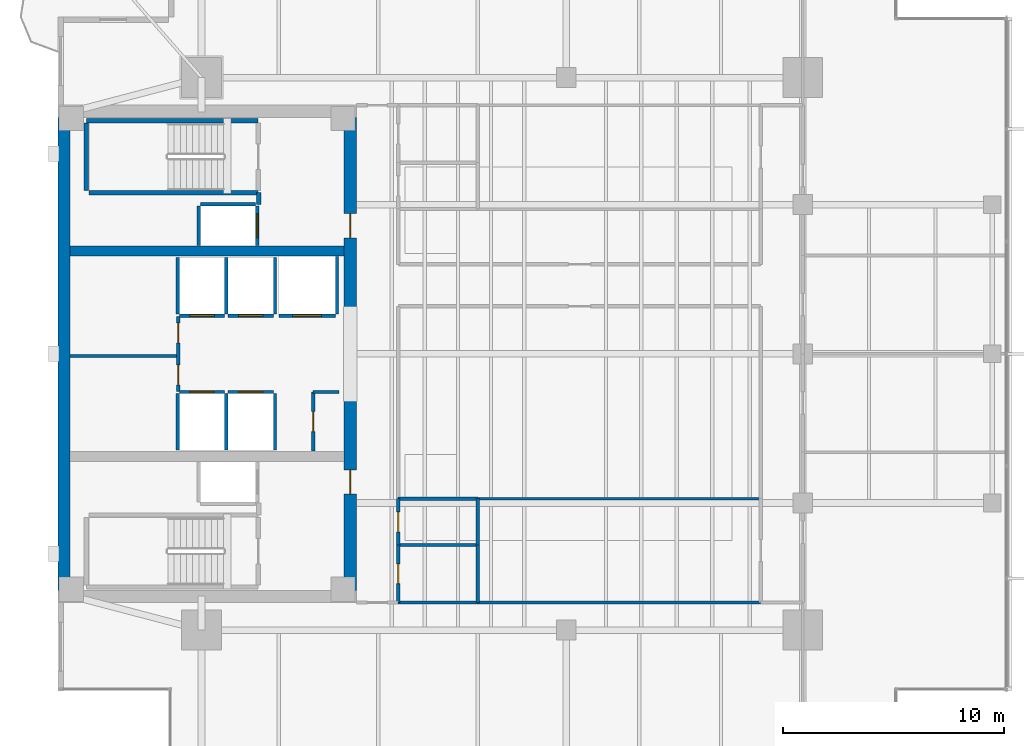
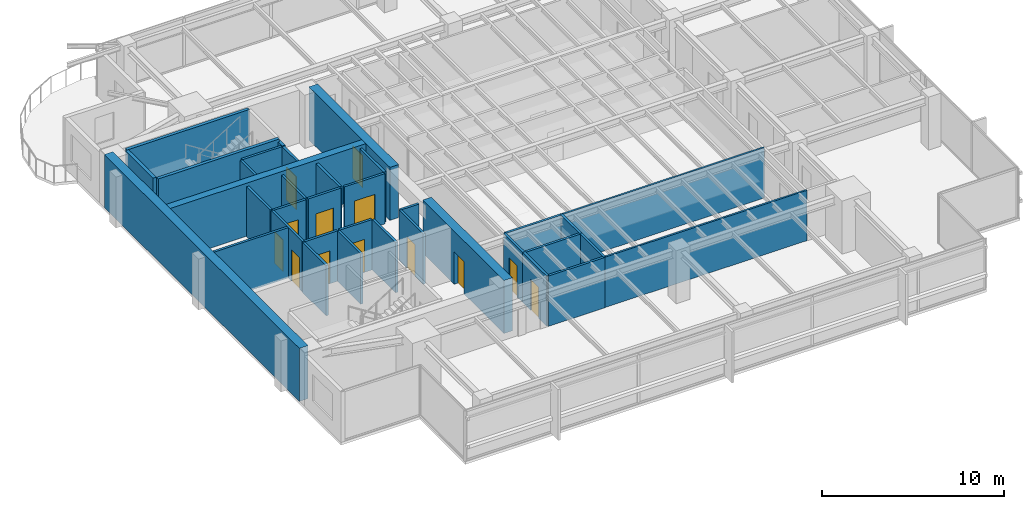
# One storey, part 8 of 14: 36 walls, 13 doors, 13 openings.
"""IFC4 building model written with IfcOpenShell, lengths in metres."""

from ifc_helpers import new_model, si_unit, direction, frame, frame_2d, origin, place, context, subcontext, project, spatial, rectangle, extrude, material, layer, layer_set, type_object, element, fill, save


model = new_model("IFC4")

# Units and contexts
model_context = context("Model", 3, precision=1e-05, world=origin(), true_north=direction((0.0, 1.0)))
body_context = subcontext(model_context, "Body", "Model", "MODEL_VIEW")
ifc_project = project(units=[si_unit("LENGTHUNIT", "METRE"), si_unit("AREAUNIT", "SQUARE_METRE"), si_unit("VOLUMEUNIT", "CUBIC_METRE"), si_unit("PLANEANGLEUNIT", "RADIAN"), si_unit("MASSUNIT", "GRAM", prefix="KILO")], contexts=[model_context])

# Site, building, storey
site_placement = place(None, origin())
site = spatial("IfcSite", under=ifc_project, at=site_placement, CompositionType="ELEMENT")
building_placement = place(site_placement, origin())
building = spatial("IfcBuilding", under=site, at=building_placement, Name="Kinhvarn Gate Tower", CompositionType="ELEMENT")
storey_placement = place(building_placement, frame((0.0, 0.0, 209.35009765625)))
storey = spatial("IfcBuildingStorey", under=building, at=storey_placement, Name="L55", CompositionType="ELEMENT", Elevation=209.35009765625)

# Wall
ifc_material_1 = material(Name="Concrete C50/60", Category="concrete")
ifc_layer_1 = layer(ifc_material_1, 0.449951171875)
ifc_layer_set_1 = layer_set([ifc_layer_1], Name="Concrete C50/60")
wall_type_1 = type_object("IfcWallType", Name="WL-CORE-450", PredefinedType="SHEAR", material=ifc_layer_set_1)
wall_1_placement = place(storey_placement, frame((5.050048828125, 29.89990234375, 0.0), z_axis=(0.0, 0.0, 1.0), x_axis=(1.0, 0.0, 0.0)))
element("IfcWall", 1, at=wall_1_placement, inside=storey, type_object=wall_type_1, Name="Core North Spine Shear Wall L55 450 mm", PredefinedType="SHEAR", context=body_context, shape_type="SweptSolid", body=[
    extrude(rectangle(XDim=12.39990234375, YDim=0.449951171875, at=frame_2d((6.199951171875, 0.0))), origin(), (0.0, 0.0, 1.0), 3.5498046875),
])

# Wall, opening, door
ifc_material_2 = material(Name="Concrete C60/75", Category="concrete")
ifc_layer_2 = layer(ifc_material_2, 0.550048828125)
ifc_layer_set_2 = layer_set([ifc_layer_2], Name="Concrete C60/75")
wall_type_2 = type_object("IfcWallType", Name="WL-CORE-550", PredefinedType="SHEAR", material=ifc_layer_set_2)
wall_2_placement = place(storey_placement, frame((17.72509765625, 14.550048828125, 0.0), z_axis=(0.0, 0.0, 1.0), x_axis=(0.0, 1.0, 0.0)))
wall_2 = element("IfcWall", 2, at=wall_2_placement, inside=storey, type_object=wall_type_2, Name="Core East-South Shear Pier L55 550 mm", PredefinedType="SHEAR", context=body_context, shape_type="SweptSolid", body=[
    extrude(rectangle(XDim=8.89990234375, YDim=0.550048828125, at=frame_2d((4.449951171875, 0.0))), origin(), (0.0, 0.0, 1.0), 3.5498046875),
])
opening_1_placement = place(wall_2_placement, frame((4.35009765625, 0.0, 0.0)))
opening_1 = element("IfcOpeningElement", 3, at=opening_1_placement, cuts=wall_2, Name="Opening FD-02", PredefinedType="OPENING", context=body_context, shape_type="SweptSolid", body=[
    extrude(rectangle(XDim=1.10009765625, YDim=2.14990234375, at=frame_2d((0.550048828125, 1.074951171875))), frame((0.0, 0.28515625, 0.0), z_axis=(0.0, -1.0, 0.0), x_axis=(1.0, 0.0, 0.0)), (0.0, 0.0, 1.0), 0.570068359375),
])
ifc_material_3 = material(Name="Anodised aluminium AW-6063", Category="aluminium")
door_type_1 = type_object("IfcDoorType", Name="DR-FD-1100", OperationType="NOTDEFINED", PredefinedType="DOOR", material=ifc_material_3)
door_1_placement = place(opening_1_placement, origin())
door_1 = element("IfcDoor", 4, at=door_1_placement, inside=storey, type_object=door_type_1, Name="Firefighting Lobby Core Door (L55)", OperationType="SINGLE_SWING_RIGHT", OverallHeight=2.14990234375, OverallWidth=1.10009765625, PredefinedType="DOOR", context=body_context, shape_type="SweptSolid", body=[
    extrude(rectangle(XDim=1.10009765625, YDim=2.14990234375, at=frame_2d((0.550048828125, 1.074951171875))), frame((0.0, 0.02490234375, 0.0), z_axis=(0.0, -1.0, 0.0), x_axis=(1.0, 0.0, 0.0)), (0.0, 0.0, 1.0), 0.050048828125),
])
fill(opening_1, door_1)

wall_3_placement = place(storey_placement, frame((17.72509765625, 27.050048828125, 0.0), z_axis=(0.0, 0.0, 1.0), x_axis=(0.0, 1.0, 0.0)))
wall_3 = element("IfcWall", 5, at=wall_3_placement, inside=storey, type_object=wall_type_2, Name="Core East-North Shear Pier L55 550 mm", PredefinedType="SHEAR", context=body_context, shape_type="SweptSolid", body=[
    extrude(rectangle(XDim=8.89990234375, YDim=0.550048828125, at=frame_2d((4.449951171875, 0.0))), origin(), (0.0, 0.0, 1.0), 3.5498046875),
])
opening_2_placement = place(wall_3_placement, frame((3.449951171875, 0.0, 0.0)))
opening_2 = element("IfcOpeningElement", 6, at=opening_2_placement, cuts=wall_3, Name="Opening FD-02", PredefinedType="OPENING", context=body_context, shape_type="SweptSolid", body=[
    extrude(rectangle(XDim=1.10009765625, YDim=2.14990234375, at=frame_2d((0.550048828125, 1.074951171875))), frame((0.0, 0.28515625, 0.0), z_axis=(0.0, -1.0, 0.0), x_axis=(1.0, 0.0, 0.0)), (0.0, 0.0, 1.0), 0.570068359375),
])
door_2_placement = place(opening_2_placement, origin())
door_2 = element("IfcDoor", 7, at=door_2_placement, inside=storey, type_object=door_type_1, Name="Firefighting Lobby Core Door (L55)", OperationType="SINGLE_SWING_LEFT", OverallHeight=2.14990234375, OverallWidth=1.10009765625, PredefinedType="DOOR", context=body_context, shape_type="SweptSolid", body=[
    extrude(rectangle(XDim=1.10009765625, YDim=2.14990234375, at=frame_2d((0.550048828125, 1.074951171875))), frame((0.0, 0.02490234375, 0.0), z_axis=(0.0, -1.0, 0.0), x_axis=(1.0, 0.0, 0.0)), (0.0, 0.0, 1.0), 0.050048828125),
])
fill(opening_2, door_2)

# Walls
ifc_layer_3 = layer(ifc_material_2, 0.550048828125)
ifc_layer_set_3 = layer_set([ifc_layer_3], Name="Concrete C60/75")
wall_type_3 = type_object("IfcWallType", Name="WL-COREX-550", PredefinedType="SHEAR", material=ifc_layer_set_3)
wall_4_placement = place(storey_placement, frame((4.77490234375, 14.550048828125, 0.0), z_axis=(0.0, 0.0, 1.0), x_axis=(0.0, 1.0, 0.0)))
element("IfcWall", 8, at=wall_4_placement, inside=storey, type_object=wall_type_3, Name="Core West Shear Wall L55 550 mm", PredefinedType="SHEAR", context=body_context, shape_type="SweptSolid", body=[
    extrude(rectangle(XDim=21.39990234375, YDim=0.550048828125, at=frame_2d((10.699951171875, 0.0))), origin(), (0.0, 0.0, 1.0), 3.5498046875),
])
ifc_material_4 = material(Name="Gypsum acoustic partition board")
ifc_layer_4 = layer(ifc_material_4, 0.14990234375)
ifc_layer_set_4 = layer_set([ifc_layer_4], Name="Gypsum acoustic partition board")
wall_type_4 = type_object("IfcWallType", Name="WL-PLM-150", PredefinedType="PLUMBINGWALL", material=ifc_layer_set_4)
wall_5_placement = place(storey_placement, frame((19.89990234375, 16.60009765625, 0.0), z_axis=(0.0, 0.0, 1.0), x_axis=(1.0, 0.0, 0.0)))
element("IfcWall", 9, at=wall_5_placement, inside=storey, type_object=wall_type_4, Name="Interior Partition PLW-150 (L55)", PredefinedType="PLUMBINGWALL", context=body_context, shape_type="SweptSolid", body=[
    extrude(rectangle(XDim=3.60009765625, YDim=0.14990234375, at=frame_2d((1.800048828125, 0.0))), origin(), (0.0, 0.0, 1.0), 3.369873046875),
])
wall_6_placement = place(storey_placement, frame((23.5, 14.0, 0.0), z_axis=(0.0, 0.0, 1.0), x_axis=(0.0, 1.0, 0.0)))
element("IfcWall", 10, at=wall_6_placement, inside=storey, type_object=wall_type_4, Name="Interior Partition PLW-150 (L55)", PredefinedType="PLUMBINGWALL", context=body_context, shape_type="SweptSolid", body=[
    extrude(rectangle(XDim=2.60009765625, YDim=0.14990234375, at=frame_2d((1.300048828125, 0.0))), origin(), (0.0, 0.0, 1.0), 3.369873046875),
])
wall_7_placement = place(storey_placement, frame((19.89990234375, 14.0, 0.0), z_axis=(0.0, 0.0, 1.0), x_axis=(1.0, 0.0, 0.0)))
element("IfcWall", 11, at=wall_7_placement, inside=storey, type_object=wall_type_4, Name="Interior Partition PLW-150 (L55)", PredefinedType="PLUMBINGWALL", context=body_context, shape_type="SweptSolid", body=[
    extrude(rectangle(XDim=3.60009765625, YDim=0.14990234375, at=frame_2d((1.800048828125, 0.0))), origin(), (0.0, 0.0, 1.0), 3.369873046875),
])
wall_8_placement = place(storey_placement, frame((23.5, 16.60009765625, 0.0), z_axis=(0.0, 0.0, 1.0), x_axis=(0.0, 1.0, 0.0)))
element("IfcWall", 12, at=wall_8_placement, inside=storey, type_object=wall_type_4, Name="Interior Partition PLW-150 (L55)", PredefinedType="PLUMBINGWALL", context=body_context, shape_type="SweptSolid", body=[
    extrude(rectangle(XDim=2.099853515625, YDim=0.14990234375, at=frame_2d((1.0498046875, 0.0))), origin(), (0.0, 0.0, 1.0), 3.369873046875),
])
wall_9_placement = place(storey_placement, frame((19.89990234375, 18.699951171875, 0.0), z_axis=(0.0, 0.0, 1.0), x_axis=(1.0, 0.0, 0.0)))
element("IfcWall", 13, at=wall_9_placement, inside=storey, type_object=wall_type_4, Name="Interior Partition PLW-150 (L55)", PredefinedType="PLUMBINGWALL", context=body_context, shape_type="SweptSolid", body=[
    extrude(rectangle(XDim=3.60009765625, YDim=0.14990234375, at=frame_2d((1.800048828125, 0.0))), origin(), (0.0, 0.0, 1.0), 3.369873046875),
])

# Wall, opening, door
ifc_layer_5 = layer(ifc_material_4, 0.14990234375)
ifc_layer_set_5 = layer_set([ifc_layer_5], Name="Gypsum acoustic partition board")
wall_type_5 = type_object("IfcWallType", Name="WL-PLM-150F", PredefinedType="PLUMBINGWALL", material=ifc_layer_set_5)
wall_10_placement = place(storey_placement, frame((19.89990234375, 14.0, 0.0), z_axis=(0.0, 0.0, 1.0), x_axis=(0.0, 1.0, 0.0)))
wall_10 = element("IfcWall", 14, at=wall_10_placement, inside=storey, type_object=wall_type_5, Name="Interior Partition PLW-150F (L55)", PredefinedType="PLUMBINGWALL", context=body_context, shape_type="SweptSolid", body=[
    extrude(rectangle(XDim=2.60009765625, YDim=0.14990234375, at=frame_2d((1.300048828125, 0.0))), origin(), (0.0, 0.0, 1.0), 3.369873046875),
])
opening_3_placement = place(wall_10_placement, frame((0.85009765625, 0.0, 0.0)))
opening_3 = element("IfcOpeningElement", 15, at=opening_3_placement, cuts=wall_10, Name="Opening FD-04", PredefinedType="OPENING", context=body_context, shape_type="SweptSolid", body=[
    extrude(rectangle(XDim=0.89990234375, YDim=2.10009765625, at=frame_2d((0.449951171875, 1.050048828125))), frame((0.0, 0.0849609375, 0.0), z_axis=(0.0, -1.0, 0.0), x_axis=(1.0, 0.0, 0.0)), (0.0, 0.0, 1.0), 0.169921875),
])
door_type_2 = type_object("IfcDoorType", Name="DR-FD-900", OperationType="NOTDEFINED", PredefinedType="DOOR", material=ifc_material_3)
door_3_placement = place(opening_3_placement, origin())
door_3 = element("IfcDoor", 16, at=door_3_placement, inside=storey, type_object=door_type_2, Name="Rated Riser & Service Closet Fire Door 900x2100 mm (L55)", OperationType="SINGLE_SWING_RIGHT", OverallHeight=2.10009765625, OverallWidth=0.89990234375, PredefinedType="DOOR", context=body_context, shape_type="SweptSolid", body=[
    extrude(rectangle(XDim=0.89990234375, YDim=2.10009765625, at=frame_2d((0.449951171875, 1.050048828125))), frame((0.0, 0.02490234375, 0.0), z_axis=(0.0, -1.0, 0.0), x_axis=(1.0, 0.0, 0.0)), (0.0, 0.0, 1.0), 0.050048828125),
])
fill(opening_3, door_3)

wall_11_placement = place(storey_placement, frame((19.89990234375, 16.60009765625, 0.0), z_axis=(0.0, 0.0, 1.0), x_axis=(0.0, 1.0, 0.0)))
wall_11 = element("IfcWall", 17, at=wall_11_placement, inside=storey, type_object=wall_type_5, Name="Interior Partition PLW-150F (L55)", PredefinedType="PLUMBINGWALL", context=body_context, shape_type="SweptSolid", body=[
    extrude(rectangle(XDim=2.099853515625, YDim=0.14990234375, at=frame_2d((1.0498046875, 0.0))), origin(), (0.0, 0.0, 1.0), 3.369873046875),
])
opening_4_placement = place(wall_11_placement, frame((0.60009765625, 0.0, 0.0)))
opening_4 = element("IfcOpeningElement", 18, at=opening_4_placement, cuts=wall_11, Name="Opening FD-04", PredefinedType="OPENING", context=body_context, shape_type="SweptSolid", body=[
    extrude(rectangle(XDim=0.89990234375, YDim=2.10009765625, at=frame_2d((0.449951171875, 1.050048828125))), frame((0.0, 0.0849609375, 0.0), z_axis=(0.0, -1.0, 0.0), x_axis=(1.0, 0.0, 0.0)), (0.0, 0.0, 1.0), 0.169921875),
])
door_4_placement = place(opening_4_placement, origin())
door_4 = element("IfcDoor", 19, at=door_4_placement, inside=storey, type_object=door_type_2, Name="Rated Riser & Service Closet Fire Door 900x2100 mm (L55)", OperationType="SINGLE_SWING_RIGHT", OverallHeight=2.10009765625, OverallWidth=0.89990234375, PredefinedType="DOOR", context=body_context, shape_type="SweptSolid", body=[
    extrude(rectangle(XDim=0.89990234375, YDim=2.10009765625, at=frame_2d((0.449951171875, 1.050048828125))), frame((0.0, 0.02490234375, 0.0), z_axis=(0.0, -1.0, 0.0), x_axis=(1.0, 0.0, 0.0)), (0.0, 0.0, 1.0), 0.050048828125),
])
fill(opening_4, door_4)

# Walls
ifc_layer_6 = layer(ifc_material_4, 0.1201171875)
ifc_layer_set_6 = layer_set([ifc_layer_6], Name="Gypsum acoustic partition board")
wall_type_6 = type_object("IfcWallType", Name="WL-PRT-120", PredefinedType="PARTITIONING", material=ifc_layer_set_6)
for number, where, z_axis, x_axis, name in (
    (20, (23.5, 18.699951171875, 0.0), (0.0, 0.0, 1.0), (1.0, 0.0, 0.0), "Interior Partition PW-120 (L55)"),
    (21, (23.5, 14.0, 0.0), (0.0, 0.0, 1.0), (1.0, 0.0, 0.0), "Interior Partition PW-120 (L55)"),
):
    element("IfcWall", number, at=place(storey_placement, frame(where, z_axis=z_axis, x_axis=x_axis)), inside=storey, type_object=wall_type_6, Name=name, PredefinedType="PARTITIONING", context=body_context, shape_type="SweptSolid", body=[
        extrude(rectangle(XDim=12.800048828125, YDim=0.1201171875, at=frame_2d((6.39990234375, 0.0))), origin(), (0.0, 0.0, 1.0), 3.369873046875),
    ])
ifc_layer_7 = layer(ifc_material_4, 0.14990234375)
ifc_layer_set_7 = layer_set([ifc_layer_7], Name="Gypsum acoustic partition board")
wall_type_7 = type_object("IfcWallType", Name="WL-PRT-150F", PredefinedType="PARTITIONING", material=ifc_layer_set_7)
wall_12_placement = place(storey_placement, frame((5.050048828125, 25.14990234375, 0.0), z_axis=(0.0, 0.0, 1.0), x_axis=(1.0, 0.0, 0.0)))
element("IfcWall", 22, at=wall_12_placement, inside=storey, type_object=wall_type_7, Name="Interior Partition PW-150F (L55)", PredefinedType="PARTITIONING", context=body_context, shape_type="SweptSolid", body=[
    extrude(rectangle(XDim=4.89990234375, YDim=0.14990234375, at=frame_2d((2.449951171875, 0.0))), origin(), (0.0, 0.0, 1.0), 3.369873046875),
])

# Wall, openings, doors
wall_13_placement = place(storey_placement, frame((9.949951171875, 23.550048828125, 0.0), z_axis=(0.0, 0.0, 1.0), x_axis=(0.0, 1.0, 0.0)))
wall_13 = element("IfcWall", 23, at=wall_13_placement, inside=storey, type_object=wall_type_7, Name="Interior Partition PW-150F (L55)", PredefinedType="PARTITIONING", context=body_context, shape_type="SweptSolid", body=[
    extrude(rectangle(XDim=3.39990234375, YDim=0.14990234375, at=frame_2d((1.699951171875, 0.0))), origin(), (0.0, 0.0, 1.0), 3.369873046875),
])
opening_5_placement = place(wall_13_placement, frame((0.298095703125, 0.0, 0.0)))
opening_5 = element("IfcOpeningElement", 24, at=opening_5_placement, cuts=wall_13, Name="Opening FD-04", PredefinedType="OPENING", context=body_context, shape_type="SweptSolid", body=[
    extrude(rectangle(XDim=0.89990234375, YDim=2.10009765625, at=frame_2d((0.449951171875, 1.050048828125))), frame((0.0, 0.0849609375, 0.0), z_axis=(0.0, -1.0, 0.0), x_axis=(1.0, 0.0, 0.0)), (0.0, 0.0, 1.0), 0.169921875),
])
opening_6_placement = place(wall_13_placement, frame((2.201904296875, 0.0, 0.0)))
opening_6 = element("IfcOpeningElement", 25, at=opening_6_placement, cuts=wall_13, Name="Opening FD-04", PredefinedType="OPENING", context=body_context, shape_type="SweptSolid", body=[
    extrude(rectangle(XDim=0.89990234375, YDim=2.10009765625, at=frame_2d((0.449951171875, 1.050048828125))), frame((0.0, 0.0849609375, 0.0), z_axis=(0.0, -1.0, 0.0), x_axis=(1.0, 0.0, 0.0)), (0.0, 0.0, 1.0), 0.169921875),
])
door_5_placement = place(opening_5_placement, origin())
door_5 = element("IfcDoor", 26, at=door_5_placement, inside=storey, type_object=door_type_2, Name="Rated Riser & Service Closet Fire Door 900x2100 mm (L55)", OperationType="SINGLE_SWING_LEFT", OverallHeight=2.10009765625, OverallWidth=0.89990234375, PredefinedType="DOOR", context=body_context, shape_type="SweptSolid", body=[
    extrude(rectangle(XDim=0.89990234375, YDim=2.10009765625, at=frame_2d((0.449951171875, 1.050048828125))), frame((0.0, 0.02490234375, 0.0), z_axis=(0.0, -1.0, 0.0), x_axis=(1.0, 0.0, 0.0)), (0.0, 0.0, 1.0), 0.050048828125),
])
fill(opening_5, door_5)
door_6_placement = place(opening_6_placement, origin())
door_6 = element("IfcDoor", 27, at=door_6_placement, inside=storey, type_object=door_type_2, Name="Rated Riser & Service Closet Fire Door 900x2100 mm (L55)", OperationType="SINGLE_SWING_RIGHT", OverallHeight=2.10009765625, OverallWidth=0.89990234375, PredefinedType="DOOR", context=body_context, shape_type="SweptSolid", body=[
    extrude(rectangle(XDim=0.89990234375, YDim=2.10009765625, at=frame_2d((0.449951171875, 1.050048828125))), frame((0.0, 0.02490234375, 0.0), z_axis=(0.0, -1.0, 0.0), x_axis=(1.0, 0.0, 0.0)), (0.0, 0.0, 1.0), 0.050048828125),
])
fill(opening_6, door_6)

# Wall, opening, door
wall_14_placement = place(storey_placement, frame((16.050048828125, 20.85009765625, 0.0), z_axis=(0.0, 0.0, 1.0), x_axis=(0.0, 1.0, 0.0)))
wall_14 = element("IfcWall", 28, at=wall_14_placement, inside=storey, type_object=wall_type_7, Name="Interior Partition PW-150F (L55)", PredefinedType="PARTITIONING", context=body_context, shape_type="SweptSolid", body=[
    extrude(rectangle(XDim=2.669921875, YDim=0.14990234375, at=frame_2d((1.3349609375, 0.0))), origin(), (0.0, 0.0, 1.0), 3.369873046875),
])
opening_7_placement = place(wall_14_placement, frame((0.885009765625, 0.0, 0.0)))
opening_7 = element("IfcOpeningElement", 29, at=opening_7_placement, cuts=wall_14, Name="Opening FD-04", PredefinedType="OPENING", context=body_context, shape_type="SweptSolid", body=[
    extrude(rectangle(XDim=0.89990234375, YDim=2.10009765625, at=frame_2d((0.449951171875, 1.050048828125))), frame((0.0, 0.0849609375, 0.0), z_axis=(0.0, -1.0, 0.0), x_axis=(1.0, 0.0, 0.0)), (0.0, 0.0, 1.0), 0.169921875),
])
door_7_placement = place(opening_7_placement, origin())
door_7 = element("IfcDoor", 30, at=door_7_placement, inside=storey, type_object=door_type_2, Name="Rated Riser & Service Closet Fire Door 900x2100 mm (L55)", OperationType="SINGLE_SWING_LEFT", OverallHeight=2.10009765625, OverallWidth=0.89990234375, PredefinedType="DOOR", context=body_context, shape_type="SweptSolid", body=[
    extrude(rectangle(XDim=0.89990234375, YDim=2.10009765625, at=frame_2d((0.449951171875, 1.050048828125))), frame((0.0, 0.02490234375, 0.0), z_axis=(0.0, -1.0, 0.0), x_axis=(1.0, 0.0, 0.0)), (0.0, 0.0, 1.0), 0.050048828125),
])
fill(opening_7, door_7)

# Walls
wall_15_placement = place(storey_placement, frame((16.050048828125, 23.52001953125, 0.0), z_axis=(0.0, 0.0, 1.0), x_axis=(1.0, 0.0, 0.0)))
element("IfcWall", 31, at=wall_15_placement, inside=storey, type_object=wall_type_7, Name="Interior Partition PW-150F (L55)", PredefinedType="PARTITIONING", context=body_context, shape_type="SweptSolid", body=[
    extrude(rectangle(XDim=1.169921875, YDim=0.14990234375, at=frame_2d((0.5849609375, 0.0))), origin(), (0.0, 0.0, 1.0), 3.369873046875),
])
ifc_layer_8 = layer(ifc_material_4, 0.199951171875)
ifc_layer_set_8 = layer_set([ifc_layer_8], Name="Gypsum acoustic partition board")
wall_type_8 = type_object("IfcWallType", Name="WL-PRT-200", PredefinedType="PARTITIONING", material=ifc_layer_set_8)
wall_16_placement = place(storey_placement, frame((13.580078125, 32.0, 0.0), z_axis=(0.0, 0.0, 1.0), x_axis=(0.0, 1.0, 0.0)))
element("IfcWall", 32, at=wall_16_placement, inside=storey, type_object=wall_type_8, Name="Interior Partition PW-200 (L55)", PredefinedType="PARTITIONING", context=body_context, shape_type="SweptSolid", body=[
    extrude(rectangle(XDim=0.5400390625, YDim=0.199951171875, at=frame_2d((0.27001953125, 0.0))), origin(), (0.0, 0.0, 1.0), 3.369873046875),
])

# Wall, opening, door
ifc_layer_9 = layer(ifc_material_4, 0.14990234375)
ifc_layer_set_9 = layer_set([ifc_layer_9], Name="Gypsum acoustic partition board")
wall_type_9 = type_object("IfcWallType", Name="WL-SHF-150", PredefinedType="PARTITIONING", material=ifc_layer_set_9)
wall_17_placement = place(storey_placement, frame((10.0, 23.52490234375, 0.0), z_axis=(0.0, 0.0, 1.0), x_axis=(1.0, 0.0, 0.0)))
wall_17 = element("IfcWall", 33, at=wall_17_placement, inside=storey, type_object=wall_type_9, Name="Elevator PH-09 Landing Wall (L55)", PredefinedType="PARTITIONING", context=body_context, shape_type="SweptSolid", body=[
    extrude(rectangle(XDim=2.050048828125, YDim=0.14990234375, at=frame_2d((1.02490234375, 0.0))), origin(), (0.0, 0.0, 1.0), 3.369873046875),
])
opening_8_placement = place(wall_17_placement, frame((0.47509765625, 0.0, 0.0)))
opening_8 = element("IfcOpeningElement", 34, at=opening_8_placement, cuts=wall_17, Name="Opening LD-01", PredefinedType="OPENING", context=body_context, shape_type="SweptSolid", body=[
    extrude(rectangle(XDim=1.10009765625, YDim=2.199951171875, at=frame_2d((0.550048828125, 1.10009765625))), frame((0.0, 0.0849609375, 0.0), z_axis=(0.0, -1.0, 0.0), x_axis=(1.0, 0.0, 0.0)), (0.0, 0.0, 1.0), 0.169921875),
])
door_type_3 = type_object("IfcDoorType", Name="DR-LND-PAS", OperationType="NOTDEFINED", PredefinedType="DOOR", material=ifc_material_3)
door_8_placement = place(opening_8_placement, origin())
door_8 = element("IfcDoor", 35, at=door_8_placement, inside=storey, type_object=door_type_3, Name="Elevator PH-09 Sliding Landing Door (L55)", OperationType="DOUBLE_DOOR_SLIDING", OverallHeight=2.199951171875, OverallWidth=1.10009765625, PredefinedType="DOOR", context=body_context, shape_type="SweptSolid", body=[
    extrude(rectangle(XDim=1.10009765625, YDim=2.199951171875, at=frame_2d((0.550048828125, 1.10009765625))), frame((0.0, 0.02490234375, 0.0), z_axis=(0.0, -1.0, 0.0), x_axis=(1.0, 0.0, 0.0)), (0.0, 0.0, 1.0), 0.050048828125),
])
fill(opening_8, door_8)

# Walls
for number, where, z_axis, x_axis, name in (
    (36, (9.925048828125, 20.89990234375, 0.0), (0.0, 0.0, 1.0), (0.0, 1.0, 0.0), "Elevator PH-09 Hoistway Wall W (L55)"),
    (37, (12.125, 20.89990234375, 0.0), (0.0, 0.0, 1.0), (0.0, 1.0, 0.0), "Elevator PH-09 Hoistway Wall E (L55)"),
):
    element("IfcWall", number, at=place(storey_placement, frame(where, z_axis=z_axis, x_axis=x_axis)), inside=storey, type_object=wall_type_9, Name=name, PredefinedType="PARTITIONING", context=body_context, shape_type="SweptSolid", body=[
        extrude(rectangle(XDim=2.550048828125, YDim=0.14990234375, at=frame_2d((1.27490234375, 0.0))), origin(), (0.0, 0.0, 1.0), 3.369873046875),
    ])

# Wall, opening, door
wall_18_placement = place(storey_placement, frame((12.199951171875, 23.52490234375, 0.0), z_axis=(0.0, 0.0, 1.0), x_axis=(1.0, 0.0, 0.0)))
wall_18 = element("IfcWall", 38, at=wall_18_placement, inside=storey, type_object=wall_type_9, Name="Elevator PH-10 Landing Wall (L55)", PredefinedType="PARTITIONING", context=body_context, shape_type="SweptSolid", body=[
    extrude(rectangle(XDim=2.050048828125, YDim=0.14990234375, at=frame_2d((1.02490234375, 0.0))), origin(), (0.0, 0.0, 1.0), 3.369873046875),
])
opening_9_placement = place(wall_18_placement, frame((0.47509765625, 0.0, 0.0)))
opening_9 = element("IfcOpeningElement", 39, at=opening_9_placement, cuts=wall_18, Name="Opening LD-01", PredefinedType="OPENING", context=body_context, shape_type="SweptSolid", body=[
    extrude(rectangle(XDim=1.10009765625, YDim=2.199951171875, at=frame_2d((0.550048828125, 1.10009765625))), frame((0.0, 0.0849609375, 0.0), z_axis=(0.0, -1.0, 0.0), x_axis=(1.0, 0.0, 0.0)), (0.0, 0.0, 1.0), 0.169921875),
])
door_9_placement = place(opening_9_placement, origin())
door_9 = element("IfcDoor", 40, at=door_9_placement, inside=storey, type_object=door_type_3, Name="Elevator PH-10 Sliding Landing Door (L55)", OperationType="DOUBLE_DOOR_SLIDING", OverallHeight=2.199951171875, OverallWidth=1.10009765625, PredefinedType="DOOR", context=body_context, shape_type="SweptSolid", body=[
    extrude(rectangle(XDim=1.10009765625, YDim=2.199951171875, at=frame_2d((0.550048828125, 1.10009765625))), frame((0.0, 0.02490234375, 0.0), z_axis=(0.0, -1.0, 0.0), x_axis=(1.0, 0.0, 0.0)), (0.0, 0.0, 1.0), 0.050048828125),
])
fill(opening_9, door_9)

# Wall
wall_19_placement = place(storey_placement, frame((14.324951171875, 20.89990234375, 0.0), z_axis=(0.0, 0.0, 1.0), x_axis=(0.0, 1.0, 0.0)))
element("IfcWall", 41, at=wall_19_placement, inside=storey, type_object=wall_type_9, Name="Elevator PH-10 Hoistway Wall E (L55)", PredefinedType="PARTITIONING", context=body_context, shape_type="SweptSolid", body=[
    extrude(rectangle(XDim=2.550048828125, YDim=0.14990234375, at=frame_2d((1.27490234375, 0.0))), origin(), (0.0, 0.0, 1.0), 3.369873046875),
])

# Wall, opening, door
wall_20_placement = place(storey_placement, frame((10.0, 26.97509765625, 0.0), z_axis=(0.0, 0.0, 1.0), x_axis=(1.0, 0.0, 0.0)))
wall_20 = element("IfcWall", 42, at=wall_20_placement, inside=storey, type_object=wall_type_9, Name="Elevator PH-11 Landing Wall (L55)", PredefinedType="PARTITIONING", context=body_context, shape_type="SweptSolid", body=[
    extrude(rectangle(XDim=2.050048828125, YDim=0.14990234375, at=frame_2d((1.02490234375, 0.0))), origin(), (0.0, 0.0, 1.0), 3.369873046875),
])
opening_10_placement = place(wall_20_placement, frame((0.47509765625, 0.0, 0.0)))
opening_10 = element("IfcOpeningElement", 43, at=opening_10_placement, cuts=wall_20, Name="Opening LD-01", PredefinedType="OPENING", context=body_context, shape_type="SweptSolid", body=[
    extrude(rectangle(XDim=1.10009765625, YDim=2.199951171875, at=frame_2d((0.550048828125, 1.10009765625))), frame((0.0, 0.0849609375, 0.0), z_axis=(0.0, -1.0, 0.0), x_axis=(1.0, 0.0, 0.0)), (0.0, 0.0, 1.0), 0.169921875),
])
door_10_placement = place(opening_10_placement, origin())
door_10 = element("IfcDoor", 44, at=door_10_placement, inside=storey, type_object=door_type_3, Name="Elevator PH-11 Sliding Landing Door (L55)", OperationType="DOUBLE_DOOR_SLIDING", OverallHeight=2.199951171875, OverallWidth=1.10009765625, PredefinedType="DOOR", context=body_context, shape_type="SweptSolid", body=[
    extrude(rectangle(XDim=1.10009765625, YDim=2.199951171875, at=frame_2d((0.550048828125, 1.10009765625))), frame((0.0, 0.02490234375, 0.0), z_axis=(0.0, -1.0, 0.0), x_axis=(1.0, 0.0, 0.0)), (0.0, 0.0, 1.0), 0.050048828125),
])
fill(opening_10, door_10)

# Walls
for number, where, z_axis, x_axis, name in (
    (45, (9.925048828125, 27.050048828125, 0.0), (0.0, 0.0, 1.0), (0.0, 1.0, 0.0), "Elevator PH-11 Hoistway Wall W (L55)"),
    (46, (12.125, 27.050048828125, 0.0), (0.0, 0.0, 1.0), (0.0, 1.0, 0.0), "Elevator PH-11 Hoistway Wall E (L55)"),
):
    element("IfcWall", number, at=place(storey_placement, frame(where, z_axis=z_axis, x_axis=x_axis)), inside=storey, type_object=wall_type_9, Name=name, PredefinedType="PARTITIONING", context=body_context, shape_type="SweptSolid", body=[
        extrude(rectangle(XDim=2.550048828125, YDim=0.14990234375, at=frame_2d((1.27490234375, 0.0))), origin(), (0.0, 0.0, 1.0), 3.369873046875),
    ])

# Wall, opening, door
wall_21_placement = place(storey_placement, frame((12.199951171875, 26.97509765625, 0.0), z_axis=(0.0, 0.0, 1.0), x_axis=(1.0, 0.0, 0.0)))
wall_21 = element("IfcWall", 47, at=wall_21_placement, inside=storey, type_object=wall_type_9, Name="Elevator PH-12 Landing Wall (L55)", PredefinedType="PARTITIONING", context=body_context, shape_type="SweptSolid", body=[
    extrude(rectangle(XDim=2.050048828125, YDim=0.14990234375, at=frame_2d((1.02490234375, 0.0))), origin(), (0.0, 0.0, 1.0), 3.369873046875),
])
opening_11_placement = place(wall_21_placement, frame((0.47509765625, 0.0, 0.0)))
opening_11 = element("IfcOpeningElement", 48, at=opening_11_placement, cuts=wall_21, Name="Opening LD-01", PredefinedType="OPENING", context=body_context, shape_type="SweptSolid", body=[
    extrude(rectangle(XDim=1.10009765625, YDim=2.199951171875, at=frame_2d((0.550048828125, 1.10009765625))), frame((0.0, 0.0849609375, 0.0), z_axis=(0.0, -1.0, 0.0), x_axis=(1.0, 0.0, 0.0)), (0.0, 0.0, 1.0), 0.169921875),
])
door_11_placement = place(opening_11_placement, origin())
door_11 = element("IfcDoor", 49, at=door_11_placement, inside=storey, type_object=door_type_3, Name="Elevator PH-12 Sliding Landing Door (L55)", OperationType="DOUBLE_DOOR_SLIDING", OverallHeight=2.199951171875, OverallWidth=1.10009765625, PredefinedType="DOOR", context=body_context, shape_type="SweptSolid", body=[
    extrude(rectangle(XDim=1.10009765625, YDim=2.199951171875, at=frame_2d((0.550048828125, 1.10009765625))), frame((0.0, 0.02490234375, 0.0), z_axis=(0.0, -1.0, 0.0), x_axis=(1.0, 0.0, 0.0)), (0.0, 0.0, 1.0), 0.050048828125),
])
fill(opening_11, door_11)

# Wall
wall_22_placement = place(storey_placement, frame((14.324951171875, 27.050048828125, 0.0), z_axis=(0.0, 0.0, 1.0), x_axis=(0.0, 1.0, 0.0)))
element("IfcWall", 50, at=wall_22_placement, inside=storey, type_object=wall_type_9, Name="Elevator PH-12 Hoistway Wall E (L55)", PredefinedType="PARTITIONING", context=body_context, shape_type="SweptSolid", body=[
    extrude(rectangle(XDim=2.550048828125, YDim=0.14990234375, at=frame_2d((1.27490234375, 0.0))), origin(), (0.0, 0.0, 1.0), 3.369873046875),
])

# Wall, opening, door
wall_23_placement = place(storey_placement, frame((14.5, 26.97509765625, 0.0), z_axis=(0.0, 0.0, 1.0), x_axis=(1.0, 0.0, 0.0)))
wall_23 = element("IfcWall", 51, at=wall_23_placement, inside=storey, type_object=wall_type_9, Name="Elevator SV-01 Landing Wall (L55)", PredefinedType="PARTITIONING", context=body_context, shape_type="SweptSolid", body=[
    extrude(rectangle(XDim=2.550048828125, YDim=0.14990234375, at=frame_2d((1.27490234375, 0.0))), origin(), (0.0, 0.0, 1.0), 3.369873046875),
])
opening_12_placement = place(wall_23_placement, frame((0.625, 0.0, 0.0)))
opening_12 = element("IfcOpeningElement", 52, at=opening_12_placement, cuts=wall_23, Name="Opening LD-02", PredefinedType="OPENING", context=body_context, shape_type="SweptSolid", body=[
    extrude(rectangle(XDim=1.300048828125, YDim=2.199951171875, at=frame_2d((0.64990234375, 1.10009765625))), frame((0.0, 0.0849609375, 0.0), z_axis=(0.0, -1.0, 0.0), x_axis=(1.0, 0.0, 0.0)), (0.0, 0.0, 1.0), 0.169921875),
])
door_type_4 = type_object("IfcDoorType", Name="DR-LND-SRV", OperationType="NOTDEFINED", PredefinedType="DOOR", material=ifc_material_3)
door_12_placement = place(opening_12_placement, origin())
door_12 = element("IfcDoor", 53, at=door_12_placement, inside=storey, type_object=door_type_4, Name="Elevator SV-01 Sliding Landing Door (L55)", OperationType="DOUBLE_DOOR_SLIDING", OverallHeight=2.199951171875, OverallWidth=1.300048828125, PredefinedType="DOOR", context=body_context, shape_type="SweptSolid", body=[
    extrude(rectangle(XDim=1.300048828125, YDim=2.199951171875, at=frame_2d((0.64990234375, 1.10009765625))), frame((0.0, 0.02490234375, 0.0), z_axis=(0.0, -1.0, 0.0), x_axis=(1.0, 0.0, 0.0)), (0.0, 0.0, 1.0), 0.050048828125),
])
fill(opening_12, door_12)

# Walls
wall_24_placement = place(storey_placement, frame((17.125, 27.050048828125, 0.0), z_axis=(0.0, 0.0, 1.0), x_axis=(0.0, 1.0, 0.0)))
element("IfcWall", 54, at=wall_24_placement, inside=storey, type_object=wall_type_9, Name="Elevator SV-01 Hoistway Wall E (L55)", PredefinedType="PARTITIONING", context=body_context, shape_type="SweptSolid", body=[
    extrude(rectangle(XDim=2.599853515625, YDim=0.14990234375, at=frame_2d((1.2998046875, 0.0))), origin(), (0.0, 0.0, 1.0), 3.369873046875),
])
wall_25_placement = place(storey_placement, frame((10.949951171875, 32.02490234375, 0.0), z_axis=(0.0, 0.0, 1.0), x_axis=(1.0, 0.0, 0.0)))
element("IfcWall", 55, at=wall_25_placement, inside=storey, type_object=wall_type_9, Name="Elevator FF2 Hoistway Wall N (L55)", PredefinedType="PARTITIONING", context=body_context, shape_type="SweptSolid", body=[
    extrude(rectangle(XDim=2.5, YDim=0.14990234375, at=frame_2d((1.25, 0.0))), origin(), (0.0, 0.0, 1.0), 3.369873046875),
])
wall_26_placement = place(storey_placement, frame((10.875, 30.14990234375, 0.0), z_axis=(0.0, 0.0, 1.0), x_axis=(0.0, 1.0, 0.0)))
element("IfcWall", 56, at=wall_26_placement, inside=storey, type_object=wall_type_9, Name="Elevator FF2 Hoistway Wall W (L55)", PredefinedType="PARTITIONING", context=body_context, shape_type="SweptSolid", body=[
    extrude(rectangle(XDim=1.800048828125, YDim=0.14990234375, at=frame_2d((0.89990234375, 0.0))), origin(), (0.0, 0.0, 1.0), 3.369873046875),
])

# Wall, opening, door
wall_27_placement = place(storey_placement, frame((13.52490234375, 30.14990234375, 0.0), z_axis=(0.0, 0.0, 1.0), x_axis=(0.0, 1.0, 0.0)))
wall_27 = element("IfcWall", 57, at=wall_27_placement, inside=storey, type_object=wall_type_9, Name="Elevator FF2 Landing Wall (L55)", PredefinedType="PARTITIONING", context=body_context, shape_type="SweptSolid", body=[
    extrude(rectangle(XDim=1.800048828125, YDim=0.14990234375, at=frame_2d((0.89990234375, 0.0))), origin(), (0.0, 0.0, 1.0), 3.369873046875),
])
opening_13_placement = place(wall_27_placement, frame((0.35009765625, 0.0, 0.0)))
opening_13 = element("IfcOpeningElement", 58, at=opening_13_placement, cuts=wall_27, Name="Opening LD-03", PredefinedType="OPENING", context=body_context, shape_type="SweptSolid", body=[
    extrude(rectangle(XDim=1.10009765625, YDim=2.199951171875, at=frame_2d((0.550048828125, 1.10009765625))), frame((0.0, 0.0849609375, 0.0), z_axis=(0.0, -1.0, 0.0), x_axis=(1.0, 0.0, 0.0)), (0.0, 0.0, 1.0), 0.169921875),
])
door_type_5 = type_object("IfcDoorType", Name="DR-LND-FF", OperationType="NOTDEFINED", PredefinedType="DOOR", material=ifc_material_3)
door_13_placement = place(opening_13_placement, origin())
door_13 = element("IfcDoor", 59, at=door_13_placement, inside=storey, type_object=door_type_5, Name="Elevator FF2 Sliding Landing Door (L55)", OperationType="DOUBLE_DOOR_SLIDING", OverallHeight=2.199951171875, OverallWidth=1.10009765625, PredefinedType="DOOR", context=body_context, shape_type="SweptSolid", body=[
    extrude(rectangle(XDim=1.10009765625, YDim=2.199951171875, at=frame_2d((0.550048828125, 1.10009765625))), frame((0.0, 0.02490234375, 0.0), z_axis=(0.0, -1.0, 0.0), x_axis=(1.0, 0.0, 0.0)), (0.0, 0.0, 1.0), 0.050048828125),
])
fill(opening_13, door_13)

# Walls
ifc_material_5 = material(Name="Concrete C40/50", Category="concrete")
ifc_layer_10 = layer(ifc_material_5, 0.199951171875)
ifc_layer_set_10 = layer_set([ifc_layer_10], Name="Concrete C40/50")
wall_type_10 = type_object("IfcWallType", Name="WL-SHF-200", PredefinedType="SOLIDWALL", material=ifc_layer_set_10)
wall_28_placement = place(storey_placement, frame((5.800048828125, 35.800048828125, 0.0), z_axis=(0.0, 0.0, 1.0), x_axis=(1.0, 0.0, 0.0)))
element("IfcWall", 60, at=wall_28_placement, inside=storey, type_object=wall_type_10, Name="Stair ST2 North Shaft Wall (L55)", PredefinedType="SOLIDWALL", context=body_context, shape_type="SweptSolid", body=[
    extrude(rectangle(XDim=7.75, YDim=0.199951171875, at=frame_2d((3.875, 0.0))), origin(), (0.0, 0.0, 1.0), 3.5498046875),
])
wall_29_placement = place(storey_placement, frame((5.7900390625, 32.64990234375, 0.0), z_axis=(0.0, 0.0, 1.0), x_axis=(0.0, 1.0, 0.0)))
element("IfcWall", 61, at=wall_29_placement, inside=storey, type_object=wall_type_10, Name="Stair ST2 West Shaft Wall (L55)", PredefinedType="SOLIDWALL", context=body_context, shape_type="SweptSolid", body=[
    extrude(rectangle(XDim=3.050048828125, YDim=0.199951171875, at=frame_2d((1.52490234375, 0.0))), origin(), (0.0, 0.0, 1.0), 3.5498046875),
])
wall_30_placement = place(storey_placement, frame((5.89990234375, 32.5400390625, 0.0), z_axis=(0.0, 0.0, 1.0), x_axis=(1.0, 0.0, 0.0)))
element("IfcWall", 62, at=wall_30_placement, inside=storey, type_object=wall_type_10, Name="Stair ST2 South Shaft Wall (L55)", PredefinedType="SOLIDWALL", context=body_context, shape_type="SweptSolid", body=[
    extrude(rectangle(XDim=7.66015625, YDim=0.199951171875, at=frame_2d((3.830078125, 0.0))), origin(), (0.0, 0.0, 1.0), 3.5498046875),
])

save(model, "model.ifc")
